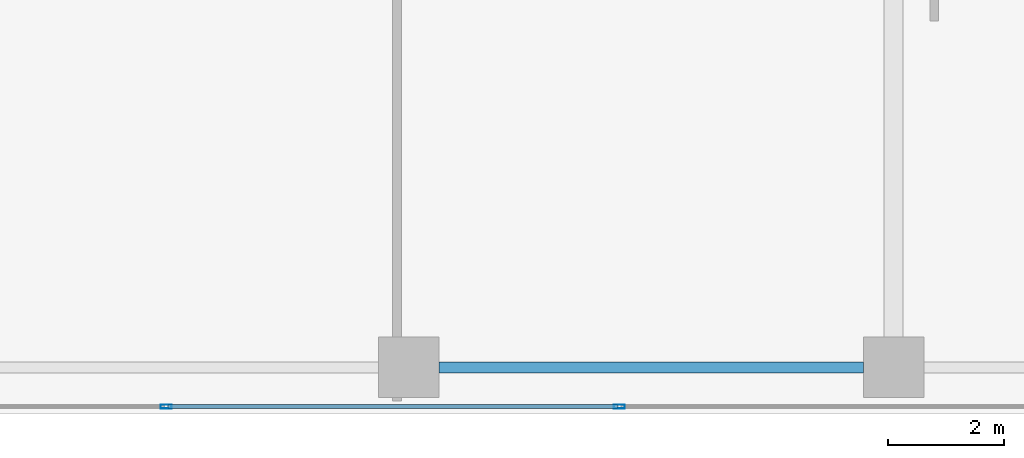
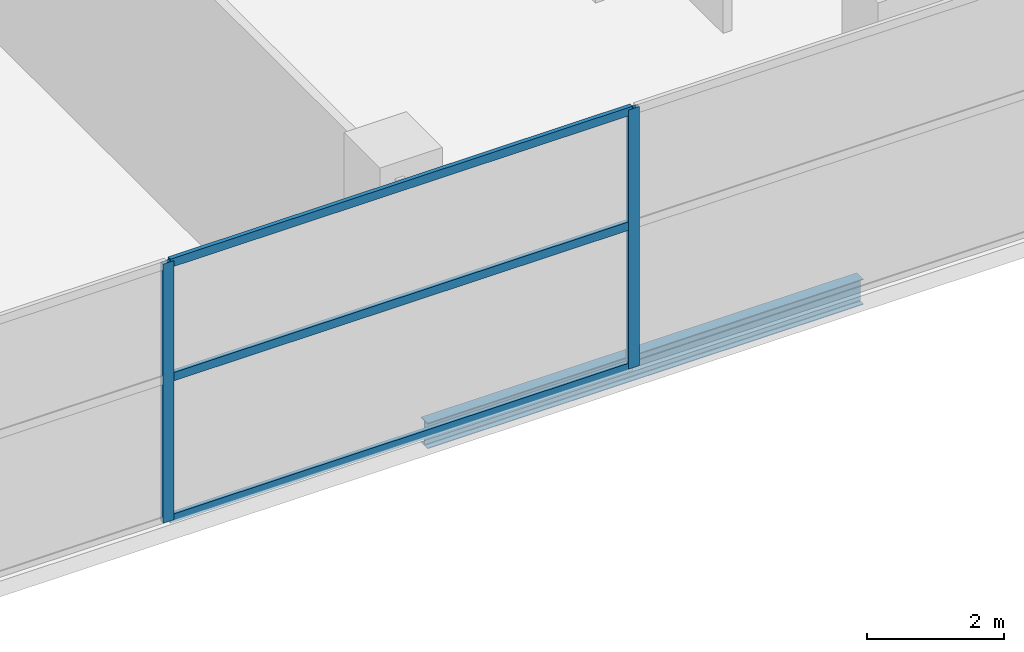
# One storey, part 13 of 39: 5 members, 1 beam, 1 element without a shape of its own.
"""IFC4 building model written with IfcOpenShell, lengths in metres."""

from ifc_helpers import new_model, si_unit, direction, frame, origin, origin_2d, place, context, subcontext, project, spatial, hollow_rectangle, i_section, extrude, material, layer, layer_set, material_profile, profile_set, type_object, element, aggregate, save


model = new_model("IFC4")

# Units and contexts
model_context = context("Model", 3, precision=1e-05, world=origin(), true_north=direction((0.0, 1.0)))
body_context = subcontext(model_context, "Body", "Model", "MODEL_VIEW")
ifc_project = project(units=[si_unit("LENGTHUNIT", "METRE"), si_unit("AREAUNIT", "SQUARE_METRE"), si_unit("VOLUMEUNIT", "CUBIC_METRE"), si_unit("PLANEANGLEUNIT", "RADIAN"), si_unit("MASSUNIT", "GRAM", prefix="KILO")], contexts=[model_context])

# Site, building, storey
site_placement = place(None, origin())
site = spatial("IfcSite", under=ifc_project, at=site_placement, CompositionType="ELEMENT")
building_placement = place(site_placement, origin())
building = spatial("IfcBuilding", under=site, at=building_placement, Name="Maruvema Waterfront Hotel and Observation Tower", CompositionType="ELEMENT")
storey_placement = place(building_placement, frame((0.0, 0.0, 16.449951171875)))
storey = spatial("IfcBuildingStorey", under=building, at=storey_placement, Name="L03", CompositionType="ELEMENT", Elevation=16.449951171875)

# Curtain wall, members
ifc_material_1 = material(Name="Anodised bronze aluminium and solar-control low-E IGU", Category="aluminium")
ifc_layer = layer(ifc_material_1, 0.159912109375, Name="Podium Waterfront Storefront Curtain Wall System CW-01")
ifc_layer_set = layer_set([ifc_layer], Name="Anodised bronze aluminium and solar-control low-E IGU")
curtain_wall_type = type_object("IfcCurtainWallType", Name="Podium Waterfront Storefront Curtain Wall System CW-01", PredefinedType="USERDEFINED", material=ifc_layer_set)
curtain_wall_placement = place(storey_placement, origin())
curtain_wall = element("IfcCurtainWall", 1, at=curtain_wall_placement, inside=storey, type_object=curtain_wall_type, Name="L03 Curtain Wall CW-L03-S", ObjectType="UNITISED CURTAIN WALL", PredefinedType="USERDEFINED")
ifc_material_2 = material(Name="Anodised architectural bronze aluminium", Category="aluminium")
ifc_material_profile_1 = material_profile(ifc_material_2, hollow_rectangle(XDim=0.070068359375, YDim=0.14990234375, WallThickness=0.00390625, at=origin_2d()), Name="ALU-T70x150")
ifc_profile_set_1 = profile_set([ifc_material_profile_1], Name="Anodised architectural bronze aluminium")
member_type_1 = type_object("IfcMemberType", Name="Curtain Wall Horizontal Transom ALU-T70x150", PredefinedType="USERDEFINED", material=ifc_profile_set_1)
member_1_placement = place(storey_placement, frame((37.830078125, 0.1201171875, 0.030029296875), z_axis=(1.0, 0.0, 0.0), x_axis=(0.0, 1.0, 0.0)))
member_1 = element("IfcMember", 2, at=member_1_placement, type_object=member_type_1, Name="CW-01 transom 5.1", ObjectType="TRANSOM", PredefinedType="USERDEFINED", context=body_context, shape_type="SweptSolid", body=[
    extrude(hollow_rectangle(XDim=0.070068359375, YDim=0.14990234375, WallThickness=0.00390625, at=origin_2d()), origin(), (0.0, 0.0, 1.0), 7.7900390625),
])
member_2_placement = place(storey_placement, frame((37.830078125, 0.1201171875, 2.550048828125), z_axis=(1.0, 0.0, 0.0), x_axis=(0.0, 1.0, 0.0)))
member_2 = element("IfcMember", 3, at=member_2_placement, type_object=member_type_1, Name="CW-01 transom 5.2", ObjectType="TRANSOM", PredefinedType="USERDEFINED", context=body_context, shape_type="SweptSolid", body=[
    extrude(hollow_rectangle(XDim=0.070068359375, YDim=0.14990234375, WallThickness=0.00390625, at=origin_2d()), origin(), (0.0, 0.0, 1.0), 7.7900390625),
])
member_3_placement = place(storey_placement, frame((37.830078125, 0.1201171875, 4.590087890625), z_axis=(1.0, 0.0, 0.0), x_axis=(0.0, 1.0, 0.0)))
member_3 = element("IfcMember", 4, at=member_3_placement, type_object=member_type_1, Name="CW-01 transom 5.3", ObjectType="TRANSOM", PredefinedType="USERDEFINED", context=body_context, shape_type="SweptSolid", body=[
    extrude(hollow_rectangle(XDim=0.070068359375, YDim=0.14990234375, WallThickness=0.00390625, at=origin_2d()), origin(), (0.0, 0.0, 1.0), 7.7900390625),
])

# Beam
ifc_material_3 = material(Name="Steel ASTM A572 Grade 50", Category="steel")
ifc_material_profile_2 = material_profile(ifc_material_3, i_section(OverallWidth=0.18994140625, OverallDepth=0.45703125, WebThickness=0.009033203125, FlangeThickness=0.014404296875, FilletRadius=0.014892578125, at=origin_2d()), Name="W460x74.0")
ifc_profile_set_2 = profile_set([ifc_material_profile_2], Name="Steel ASTM A572 Grade 50")
beam_type = type_object("IfcBeamType", Name="Perimeter Spandrel Beam W460x74.0", PredefinedType="SPANDREL", material=ifc_profile_set_2)
beam_placement = place(storey_placement, frame((42.52490234375, 0.800048828125, -0.508544921875), z_axis=(1.0, 0.0, 0.0), x_axis=(0.0, 1.0, 0.0)))
element("IfcBeam", 5, at=beam_placement, inside=storey, type_object=beam_type, Name="L03 Floor Girder EW-06", PredefinedType="SPANDREL", context=body_context, shape_type="SweptSolid", body=[
    extrude(i_section(OverallWidth=0.18994140625, OverallDepth=0.45703125, WebThickness=0.009033203125, FlangeThickness=0.014404296875, FilletRadius=0.014892578125, at=origin_2d()), origin(), (0.0, 0.0, 1.0), 7.35009765625),
])

# Member
ifc_material_4 = material(Name="Anodised architectural bronze aluminium", Category="aluminium")
ifc_material_profile_3 = material_profile(ifc_material_4, hollow_rectangle(XDim=0.070068359375, YDim=0.18994140625, WallThickness=0.00390625, at=origin_2d()), Name="ALU-M70x190")
ifc_profile_set_3 = profile_set([ifc_material_profile_3], Name="Anodised architectural bronze aluminium")
member_type_2 = type_object("IfcMemberType", Name="Podium Storefront Heavy Mullion ALU-M70x190", PredefinedType="MULLION", material=ifc_profile_set_3)
member_4_placement = place(storey_placement, frame((37.800048828125, 0.1201171875, 0.0), z_axis=(0.0, 0.0, 1.0), x_axis=(0.0, 1.0, 0.0)))
member_4 = element("IfcMember", 6, at=member_4_placement, type_object=member_type_2, Name="CW-01 mullion 5", PredefinedType="MULLION", context=body_context, shape_type="SweptSolid", body=[
    extrude(hollow_rectangle(XDim=0.070068359375, YDim=0.18994140625, WallThickness=0.00390625, at=origin_2d()), origin(), (0.0, 0.0, 1.0), 4.6201171875),
])

member_5_placement = place(storey_placement, frame((45.64990234375, 0.1201171875, 0.0), z_axis=(0.0, 0.0, 1.0), x_axis=(0.0, 1.0, 0.0)))
member_5 = element("IfcMember", 7, at=member_5_placement, type_object=member_type_2, Name="CW-01 mullion 6", PredefinedType="MULLION", context=body_context, shape_type="SweptSolid", body=[
    extrude(hollow_rectangle(XDim=0.070068359375, YDim=0.18994140625, WallThickness=0.00390625, at=origin_2d()), origin(), (0.0, 0.0, 1.0), 4.6201171875),
])

aggregate(curtain_wall, [member_4, member_5, member_1, member_2, member_3])

save(model, "model.ifc")
